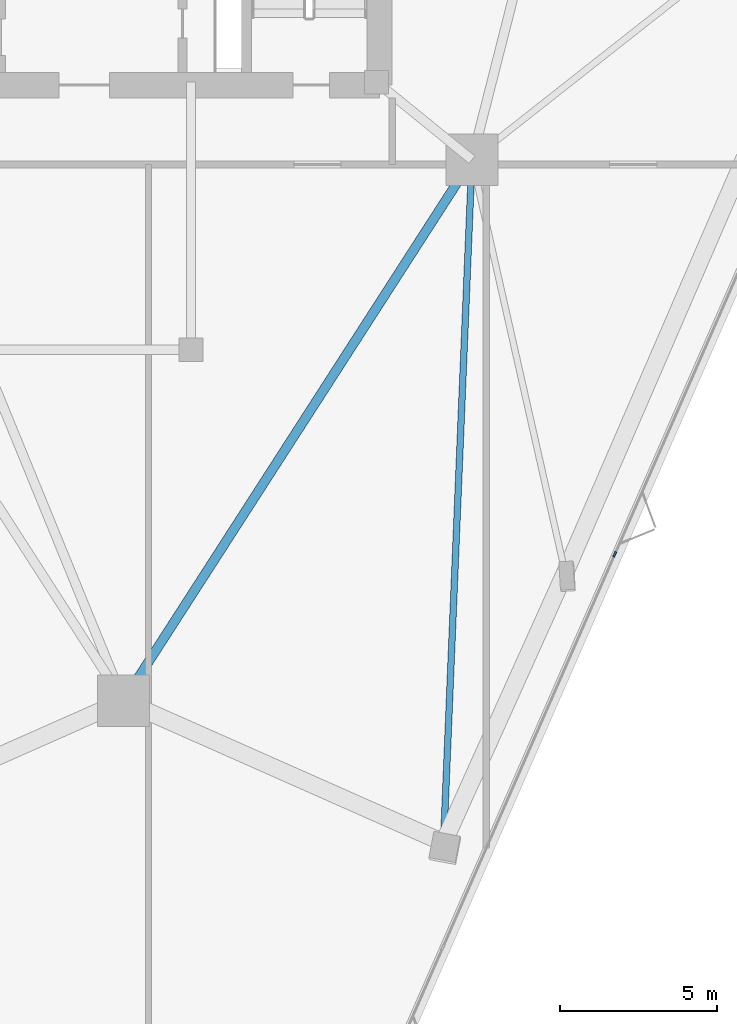
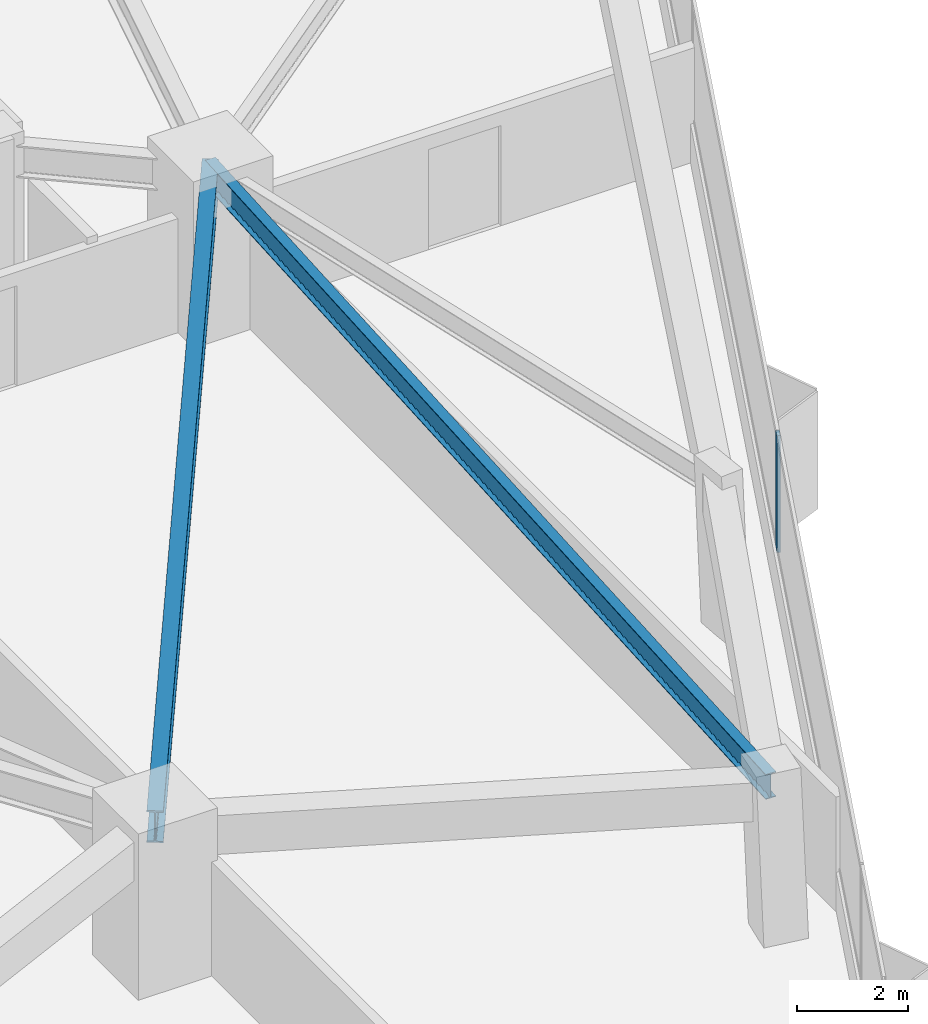
# One storey, part 5 of 20: 2 beams, 1 member, 1 element without a shape of its own.
"""IFC4 building model written with IfcOpenShell, lengths in metres."""

from ifc_helpers import new_model, si_unit, direction, frame, origin, origin_2d, place, context, subcontext, project, spatial, rectangle, i_section, extrude, material, layer, layer_set, material_profile, profile_set, type_object, element, aggregate, save


model = new_model("IFC4")

# Units and contexts
model_context = context("Model", 3, precision=1e-05, world=origin(), true_north=direction((0.0, 1.0)))
body_context = subcontext(model_context, "Body", "Model", "MODEL_VIEW")
ifc_project = project(units=[si_unit("LENGTHUNIT", "METRE"), si_unit("AREAUNIT", "SQUARE_METRE"), si_unit("VOLUMEUNIT", "CUBIC_METRE"), si_unit("PLANEANGLEUNIT", "RADIAN"), si_unit("MASSUNIT", "GRAM", prefix="KILO")], contexts=[model_context])

# Site, building, storey
site_placement = place(None, origin())
site = spatial("IfcSite", under=ifc_project, at=site_placement, CompositionType="ELEMENT")
building_placement = place(site_placement, origin())
building = spatial("IfcBuilding", under=site, at=building_placement, Name="Talyreon Biosciences Tower", CompositionType="ELEMENT")
storey_placement = place(building_placement, frame((0.0, 0.0, 75.0)))
storey = spatial("IfcBuildingStorey", under=building, at=storey_placement, Name="L19", CompositionType="ELEMENT", Elevation=75.0)

# Curtain wall, member
ifc_material_1 = material(Name="Thermally broken aluminium and low-E glazing", Category="aluminium")
ifc_layer = layer(ifc_material_1, 0.18994140625)
ifc_layer_set = layer_set([ifc_layer], Name="Thermally broken aluminium and low-E glazing")
curtain_wall_type = type_object("IfcCurtainWallType", Name="CurtainWall_Zone2Genomics", PredefinedType="NOTDEFINED", material=ifc_layer_set)
curtain_wall_placement = place(storey_placement, origin())
curtain_wall = element("IfcCurtainWall", 1, at=curtain_wall_placement, inside=storey, type_object=curtain_wall_type, Name="L19 Unitised Curtain Wall FCW-L19-08", PredefinedType="NOTDEFINED")
ifc_material_2 = material(Name="Anodised thermally broken aluminium", Category="aluminium")
ifc_material_profile_1 = material_profile(ifc_material_2, rectangle(XDim=0.06494140625, YDim=0.179931640625, at=origin_2d()), Name="ALUM MULLION 65x180")
ifc_profile_set_1 = profile_set([ifc_material_profile_1], Name="Anodised thermally broken aluminium")
member_type = type_object("IfcMemberType", Name="CWMullion_65x180", PredefinedType="MULLION", material=ifc_profile_set_1)
member_placement = place(storey_placement, frame((81.630615234375, 46.32763671875, 0.81005859375), z_axis=(0.0, 0.0, 1.0), x_axis=(0.916151953082, -0.400831135099, 0.0)))
member = element("IfcMember", 2, at=member_placement, type_object=member_type, Name="CW3 mullion 4", PredefinedType="MULLION", context=body_context, shape_type="SweptSolid", body=[
    extrude(rectangle(XDim=0.06494140625, YDim=0.179931640625, at=origin_2d()), origin(), (0.0, 0.0, 1.0), 2.56494140625),
])
aggregate(curtain_wall, [member])

# Beams
ifc_material_3 = material(Name="Steel SM355", Category="steel")
ifc_material_profile_2 = material_profile(ifc_material_3, i_section(OverallWidth=0.300048828125, OverallDepth=0.699951171875, WebThickness=0.01708984375, FlangeThickness=0.031982421875, FilletRadius=0.027099609375, at=origin_2d()), Name="HE700B")
ifc_profile_set_2 = profile_set([ifc_material_profile_2], Name="Steel SM355")
beam_type_1 = type_object("IfcBeamType", Name="SteelGirder_HE700B", PredefinedType="BEAM", material=ifc_profile_set_2)
beam_1_placement = place(storey_placement, frame((66.0, 41.6669921875, 3.02490234375), z_axis=(0.541463723609, 0.840724114092, 0.0), x_axis=(-0.840724114092, 0.541463723609, 0.0)))
element("IfcBeam", 3, at=beam_1_placement, inside=storey, type_object=beam_type_1, Name="L19 Mega-Ring Girder 1", PredefinedType="BEAM", context=body_context, shape_type="SweptSolid", body=[
    extrude(i_section(OverallWidth=0.300048828125, OverallDepth=0.699951171875, WebThickness=0.01708984375, FlangeThickness=0.031982421875, FilletRadius=0.027099609375, at=origin_2d()), origin(), (0.0, 0.0, 1.0), 20.474365234375),
])
ifc_material_profile_3 = material_profile(ifc_material_3, i_section(OverallWidth=0.2099609375, OverallDepth=0.550048828125, WebThickness=0.010986328125, FlangeThickness=0.01708984375, FilletRadius=0.02392578125, at=origin_2d()), Name="IPE550")
ifc_profile_set_3 = profile_set([ifc_material_profile_3], Name="Steel SM355")
beam_type_2 = type_object("IfcBeamType", Name="SteelJoist_IPE550", PredefinedType="JOIST", material=ifc_profile_set_3)
beam_2_placement = place(storey_placement, frame((77.086181640625, 58.88037109375, 3.10009765625), z_axis=(-0.041481585159, -0.999139268617, 0.0), x_axis=(0.999139268617, -0.041481585159, 0.0)))
element("IfcBeam", 4, at=beam_2_placement, inside=storey, type_object=beam_type_2, Name="L19 Radial Composite Floor Joist PC-SE1", PredefinedType="JOIST", context=body_context, shape_type="SweptSolid", body=[
    extrude(i_section(OverallWidth=0.2099609375, OverallDepth=0.550048828125, WebThickness=0.010986328125, FlangeThickness=0.01708984375, FilletRadius=0.02392578125, at=origin_2d()), origin(), (0.0, 0.0, 1.0), 21.7470703125),
])

save(model, "model.ifc")
